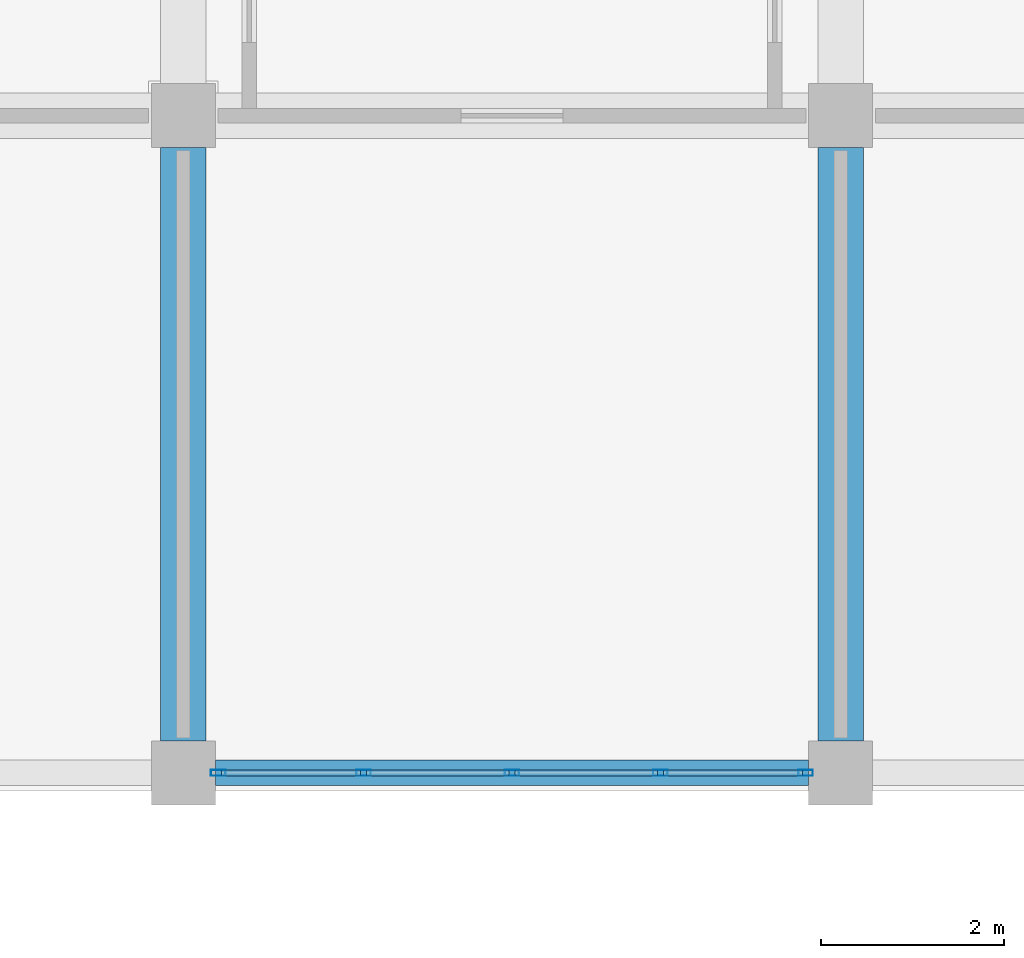
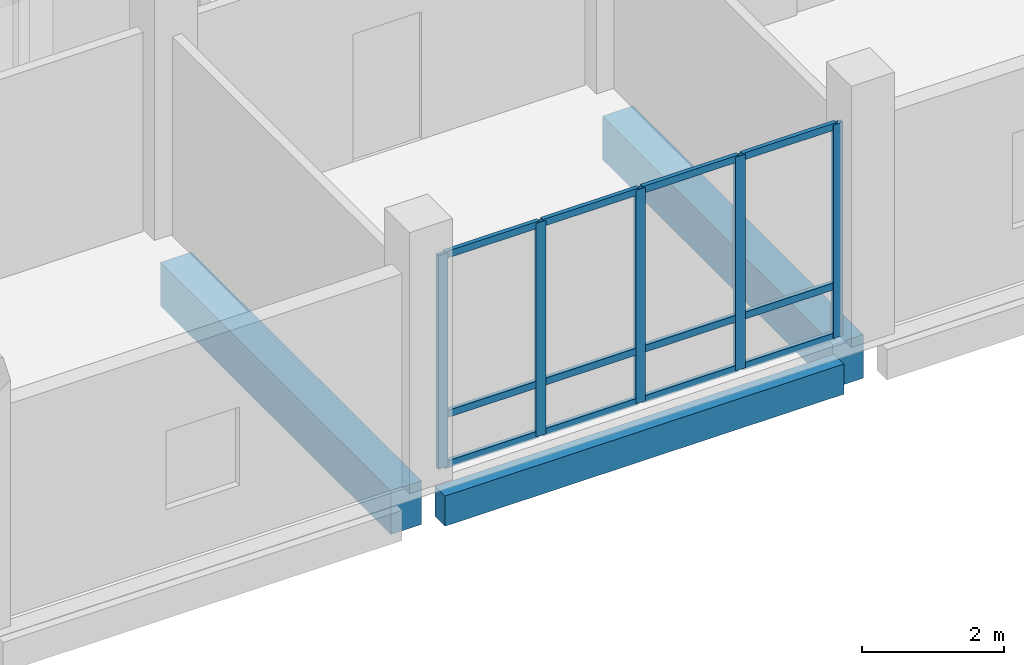
# One storey, part 21 of 139: 17 members, 3 beams, 1 element without a shape of its own.
"""IFC4 building model written with IfcOpenShell, lengths in metres."""

from ifc_helpers import new_model, si_unit, direction, frame, origin, origin_2d, place, context, subcontext, project, spatial, rectangle, hollow_rectangle, extrude, material, material_profile, profile_set, type_object, element, aggregate, save


model = new_model("IFC4")

# Units and contexts
model_context = context("Model", 3, precision=1e-05, world=origin(), true_north=direction((0.0, 1.0)))
body_context = subcontext(model_context, "Body", "Model", "MODEL_VIEW")
ifc_project = project(units=[si_unit("LENGTHUNIT", "METRE"), si_unit("AREAUNIT", "SQUARE_METRE"), si_unit("VOLUMEUNIT", "CUBIC_METRE"), si_unit("PLANEANGLEUNIT", "RADIAN"), si_unit("MASSUNIT", "GRAM", prefix="KILO")], contexts=[model_context])

# Site, building, storey
site_placement = place(None, origin())
site = spatial("IfcSite", under=ifc_project, at=site_placement, CompositionType="ELEMENT")
building_placement = place(site_placement, origin())
building = spatial("IfcBuilding", under=site, at=building_placement, Name="Suanplinth Sawtooth Commons", CompositionType="ELEMENT")
storey_placement = place(building_placement, origin())
storey = spatial("IfcBuildingStorey", under=building, at=storey_placement, Name="L00", CompositionType="ELEMENT", Elevation=0.0)

# Beams
ifc_material_1 = material(Name="Concrete C40/50", Category="concrete")
ifc_material_profile_1 = material_profile(ifc_material_1, rectangle(XDim=0.5, YDim=0.75, at=origin_2d()), Name="RC-GDR 500x750")
ifc_profile_set_1 = profile_set([ifc_material_profile_1], Name="Concrete C40/50")
beam_type_1 = type_object("IfcBeamType", Name="B-03", PredefinedType="USERDEFINED", material=ifc_profile_set_1)
for number, where, z_axis, x_axis, name in (
    (1, (21.60009765625, 0.35009765625, -0.784912109375), (0.0, 1.0, 0.0), (-1.0, 0.0, 0.0), "BMY-L00-D-3-0"),
    (2, (28.800048828125, 0.35009765625, -0.784912109375), (0.0, 1.0, 0.0), (-1.0, 0.0, 0.0), "BMY-L00-D-4-0"),
):
    element("IfcBeam", number, at=place(storey_placement, frame(where, z_axis=z_axis, x_axis=x_axis)), inside=storey, type_object=beam_type_1, Name=name, ObjectType="GIRDER", PredefinedType="USERDEFINED", context=body_context, shape_type="SweptSolid", body=[
        extrude(rectangle(XDim=0.5, YDim=0.75, at=origin_2d()), origin(), (0.0, 0.0, 1.0), 6.5),
    ])
ifc_material_2 = material(Name="Precast concrete C40/50", Category="concrete")
ifc_material_profile_2 = material_profile(ifc_material_2, rectangle(XDim=0.280029296875, YDim=0.52001953125, at=origin_2d()), Name="PC-SP 280x520")
ifc_profile_set_2 = profile_set([ifc_material_profile_2], Name="Precast concrete C40/50")
beam_type_2 = type_object("IfcBeamType", Name="B-08", PredefinedType="SPANDREL", material=ifc_profile_set_2)
beam_placement = place(storey_placement, frame((21.949951171875, 0.0, -0.669921875), z_axis=(1.0, 0.0, 0.0), x_axis=(0.0, 1.0, 0.0)))
element("IfcBeam", 3, at=beam_placement, inside=storey, type_object=beam_type_2, Name="BMX-L00-D-3-0", PredefinedType="SPANDREL", context=body_context, shape_type="SweptSolid", body=[
    extrude(rectangle(XDim=0.280029296875, YDim=0.52001953125, at=origin_2d()), origin(), (0.0, 0.0, 1.0), 6.5),
])

# Curtain wall, members
ifc_material_3 = material(Name="Anodized aluminium and low-E glazing", Category="aluminium")
curtain_wall_type = type_object("IfcCurtainWallType", Name="CW-04", PredefinedType="USERDEFINED", material=ifc_material_3)
curtain_wall_placement = place(storey_placement, origin())
curtain_wall = element("IfcCurtainWall", 4, at=curtain_wall_placement, inside=storey, type_object=curtain_wall_type, Name="Curtain Wall CW-L00-D-S-3", ObjectType="CURTAIN WALL", PredefinedType="USERDEFINED")
ifc_material_4 = material(Name="Anodized aluminium 6063-T6", Category="aluminium")
ifc_material_profile_3 = material_profile(ifc_material_4, hollow_rectangle(XDim=0.06494140625, YDim=0.159912109375, WallThickness=0.00390625, at=origin_2d()), Name="ALU-MUL 65x160")
ifc_profile_set_3 = profile_set([ifc_material_profile_3], Name="Anodized aluminium 6063-T6")
member_type_1 = type_object("IfcMemberType", Name="M-13", PredefinedType="MULLION", material=ifc_profile_set_3)
member_1_placement = place(storey_placement, frame((21.982421875, 0.0, 0.0), z_axis=(0.0, 0.0, 1.0), x_axis=(0.0, 1.0, 0.0)))
member_1 = element("IfcMember", 5, at=member_1_placement, type_object=member_type_1, Name="CW-04 mullion 1", PredefinedType="MULLION", context=body_context, shape_type="SweptSolid", body=[
    extrude(hollow_rectangle(XDim=0.06494140625, YDim=0.159912109375, WallThickness=0.00390625, at=origin_2d()), origin(), (0.0, 0.0, 1.0), 3.679931640625),
])
member_2_placement = place(storey_placement, frame((23.574951171875, 0.0, 0.0), z_axis=(0.0, 0.0, 1.0), x_axis=(0.0, 1.0, 0.0)))
member_2 = element("IfcMember", 6, at=member_2_placement, type_object=member_type_1, Name="CW-04 mullion 2", PredefinedType="MULLION", context=body_context, shape_type="SweptSolid", body=[
    extrude(hollow_rectangle(XDim=0.06494140625, YDim=0.159912109375, WallThickness=0.00390625, at=origin_2d()), origin(), (0.0, 0.0, 1.0), 3.679931640625),
])
member_3_placement = place(storey_placement, frame((25.199951171875, 0.0, 0.0), z_axis=(0.0, 0.0, 1.0), x_axis=(0.0, 1.0, 0.0)))
member_3 = element("IfcMember", 7, at=member_3_placement, type_object=member_type_1, Name="CW-04 mullion 3", PredefinedType="MULLION", context=body_context, shape_type="SweptSolid", body=[
    extrude(hollow_rectangle(XDim=0.06494140625, YDim=0.159912109375, WallThickness=0.00390625, at=origin_2d()), origin(), (0.0, 0.0, 1.0), 3.679931640625),
])
member_4_placement = place(storey_placement, frame((26.824951171875, 0.0, 0.0), z_axis=(0.0, 0.0, 1.0), x_axis=(0.0, 1.0, 0.0)))
member_4 = element("IfcMember", 8, at=member_4_placement, type_object=member_type_1, Name="CW-04 mullion 4", PredefinedType="MULLION", context=body_context, shape_type="SweptSolid", body=[
    extrude(hollow_rectangle(XDim=0.06494140625, YDim=0.159912109375, WallThickness=0.00390625, at=origin_2d()), origin(), (0.0, 0.0, 1.0), 3.679931640625),
])
member_5_placement = place(storey_placement, frame((28.41748046875, 0.0, 0.0), z_axis=(0.0, 0.0, 1.0), x_axis=(0.0, 1.0, 0.0)))
member_5 = element("IfcMember", 9, at=member_5_placement, type_object=member_type_1, Name="CW-04 mullion 5", PredefinedType="MULLION", context=body_context, shape_type="SweptSolid", body=[
    extrude(hollow_rectangle(XDim=0.06494140625, YDim=0.159912109375, WallThickness=0.00390625, at=origin_2d()), origin(), (0.0, 0.0, 1.0), 3.679931640625),
])
ifc_material_profile_4 = material_profile(ifc_material_4, hollow_rectangle(XDim=0.06494140625, YDim=0.1201171875, WallThickness=0.00390625, at=origin_2d()), Name="ALU-TRN 65x120")
ifc_profile_set_4 = profile_set([ifc_material_profile_4], Name="Anodized aluminium 6063-T6")
member_type_2 = type_object("IfcMemberType", Name="M-15", PredefinedType="USERDEFINED", material=ifc_profile_set_4)
member_6_placement = place(storey_placement, frame((22.014892578125, 0.0, 0.032470703125), z_axis=(1.0, 0.0, 0.0), x_axis=(0.0, 1.0, 0.0)))
member_6 = element("IfcMember", 10, at=member_6_placement, type_object=member_type_2, Name="CW-04 transom 1.1", ObjectType="TRANSOM", PredefinedType="USERDEFINED", context=body_context, shape_type="SweptSolid", body=[
    extrude(hollow_rectangle(XDim=0.06494140625, YDim=0.1201171875, WallThickness=0.00390625, at=origin_2d()), origin(), (0.0, 0.0, 1.0), 1.527587890625),
])
member_7_placement = place(storey_placement, frame((22.014892578125, 0.0, 0.89990234375), z_axis=(1.0, 0.0, 0.0), x_axis=(0.0, 1.0, 0.0)))
member_7 = element("IfcMember", 11, at=member_7_placement, type_object=member_type_2, Name="CW-04 transom 1.2", ObjectType="TRANSOM", PredefinedType="USERDEFINED", context=body_context, shape_type="SweptSolid", body=[
    extrude(hollow_rectangle(XDim=0.06494140625, YDim=0.1201171875, WallThickness=0.00390625, at=origin_2d()), origin(), (0.0, 0.0, 1.0), 1.527587890625),
])
member_8_placement = place(storey_placement, frame((22.014892578125, 0.0, 3.6474609375), z_axis=(1.0, 0.0, 0.0), x_axis=(0.0, 1.0, 0.0)))
member_8 = element("IfcMember", 12, at=member_8_placement, type_object=member_type_2, Name="CW-04 transom 1.3", ObjectType="TRANSOM", PredefinedType="USERDEFINED", context=body_context, shape_type="SweptSolid", body=[
    extrude(hollow_rectangle(XDim=0.06494140625, YDim=0.1201171875, WallThickness=0.00390625, at=origin_2d()), origin(), (0.0, 0.0, 1.0), 1.527587890625),
])
member_9_placement = place(storey_placement, frame((23.607421875, 0.0, 0.032470703125), z_axis=(1.0, 0.0, 0.0), x_axis=(0.0, 1.0, 0.0)))
member_9 = element("IfcMember", 13, at=member_9_placement, type_object=member_type_2, Name="CW-04 transom 2.1", ObjectType="TRANSOM", PredefinedType="USERDEFINED", context=body_context, shape_type="SweptSolid", body=[
    extrude(hollow_rectangle(XDim=0.06494140625, YDim=0.1201171875, WallThickness=0.00390625, at=origin_2d()), origin(), (0.0, 0.0, 1.0), 1.56005859375),
])
member_10_placement = place(storey_placement, frame((23.607421875, 0.0, 0.89990234375), z_axis=(1.0, 0.0, 0.0), x_axis=(0.0, 1.0, 0.0)))
member_10 = element("IfcMember", 14, at=member_10_placement, type_object=member_type_2, Name="CW-04 transom 2.2", ObjectType="TRANSOM", PredefinedType="USERDEFINED", context=body_context, shape_type="SweptSolid", body=[
    extrude(hollow_rectangle(XDim=0.06494140625, YDim=0.1201171875, WallThickness=0.00390625, at=origin_2d()), origin(), (0.0, 0.0, 1.0), 1.56005859375),
])
member_11_placement = place(storey_placement, frame((23.607421875, 0.0, 3.6474609375), z_axis=(1.0, 0.0, 0.0), x_axis=(0.0, 1.0, 0.0)))
member_11 = element("IfcMember", 15, at=member_11_placement, type_object=member_type_2, Name="CW-04 transom 2.3", ObjectType="TRANSOM", PredefinedType="USERDEFINED", context=body_context, shape_type="SweptSolid", body=[
    extrude(hollow_rectangle(XDim=0.06494140625, YDim=0.1201171875, WallThickness=0.00390625, at=origin_2d()), origin(), (0.0, 0.0, 1.0), 1.56005859375),
])
member_12_placement = place(storey_placement, frame((25.232421875, 0.0, 0.032470703125), z_axis=(1.0, 0.0, 0.0), x_axis=(0.0, 1.0, 0.0)))
member_12 = element("IfcMember", 16, at=member_12_placement, type_object=member_type_2, Name="CW-04 transom 3.1", ObjectType="TRANSOM", PredefinedType="USERDEFINED", context=body_context, shape_type="SweptSolid", body=[
    extrude(hollow_rectangle(XDim=0.06494140625, YDim=0.1201171875, WallThickness=0.00390625, at=origin_2d()), origin(), (0.0, 0.0, 1.0), 1.56005859375),
])
member_13_placement = place(storey_placement, frame((25.232421875, 0.0, 0.89990234375), z_axis=(1.0, 0.0, 0.0), x_axis=(0.0, 1.0, 0.0)))
member_13 = element("IfcMember", 17, at=member_13_placement, type_object=member_type_2, Name="CW-04 transom 3.2", ObjectType="TRANSOM", PredefinedType="USERDEFINED", context=body_context, shape_type="SweptSolid", body=[
    extrude(hollow_rectangle(XDim=0.06494140625, YDim=0.1201171875, WallThickness=0.00390625, at=origin_2d()), origin(), (0.0, 0.0, 1.0), 1.56005859375),
])
member_14_placement = place(storey_placement, frame((25.232421875, 0.0, 3.6474609375), z_axis=(1.0, 0.0, 0.0), x_axis=(0.0, 1.0, 0.0)))
member_14 = element("IfcMember", 18, at=member_14_placement, type_object=member_type_2, Name="CW-04 transom 3.3", ObjectType="TRANSOM", PredefinedType="USERDEFINED", context=body_context, shape_type="SweptSolid", body=[
    extrude(hollow_rectangle(XDim=0.06494140625, YDim=0.1201171875, WallThickness=0.00390625, at=origin_2d()), origin(), (0.0, 0.0, 1.0), 1.56005859375),
])
member_15_placement = place(storey_placement, frame((26.857421875, 0.0, 0.032470703125), z_axis=(1.0, 0.0, 0.0), x_axis=(0.0, 1.0, 0.0)))
member_15 = element("IfcMember", 19, at=member_15_placement, type_object=member_type_2, Name="CW-04 transom 4.1", ObjectType="TRANSOM", PredefinedType="USERDEFINED", context=body_context, shape_type="SweptSolid", body=[
    extrude(hollow_rectangle(XDim=0.06494140625, YDim=0.1201171875, WallThickness=0.00390625, at=origin_2d()), origin(), (0.0, 0.0, 1.0), 1.527587890625),
])
member_16_placement = place(storey_placement, frame((26.857421875, 0.0, 0.89990234375), z_axis=(1.0, 0.0, 0.0), x_axis=(0.0, 1.0, 0.0)))
member_16 = element("IfcMember", 20, at=member_16_placement, type_object=member_type_2, Name="CW-04 transom 4.2", ObjectType="TRANSOM", PredefinedType="USERDEFINED", context=body_context, shape_type="SweptSolid", body=[
    extrude(hollow_rectangle(XDim=0.06494140625, YDim=0.1201171875, WallThickness=0.00390625, at=origin_2d()), origin(), (0.0, 0.0, 1.0), 1.527587890625),
])
member_17_placement = place(storey_placement, frame((26.857421875, 0.0, 3.6474609375), z_axis=(1.0, 0.0, 0.0), x_axis=(0.0, 1.0, 0.0)))
member_17 = element("IfcMember", 21, at=member_17_placement, type_object=member_type_2, Name="CW-04 transom 4.3", ObjectType="TRANSOM", PredefinedType="USERDEFINED", context=body_context, shape_type="SweptSolid", body=[
    extrude(hollow_rectangle(XDim=0.06494140625, YDim=0.1201171875, WallThickness=0.00390625, at=origin_2d()), origin(), (0.0, 0.0, 1.0), 1.527587890625),
])
aggregate(curtain_wall, [member_1, member_2, member_3, member_4, member_5, member_6, member_7, member_8, member_9, member_10, member_11, member_12, member_13, member_14, member_15, member_16, member_17])

save(model, "model.ifc")
